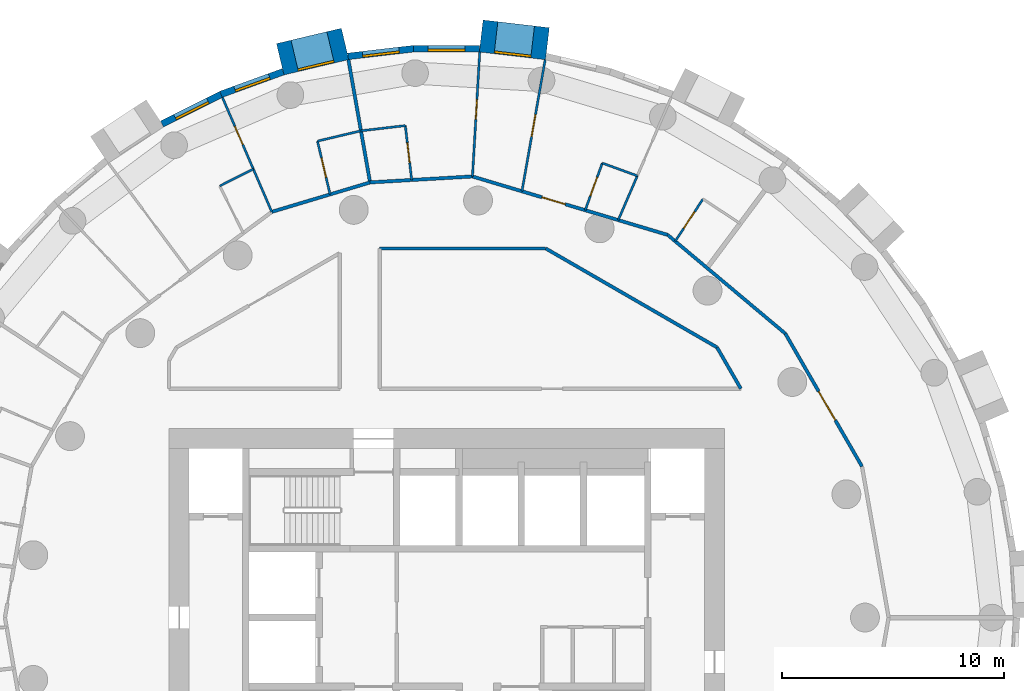
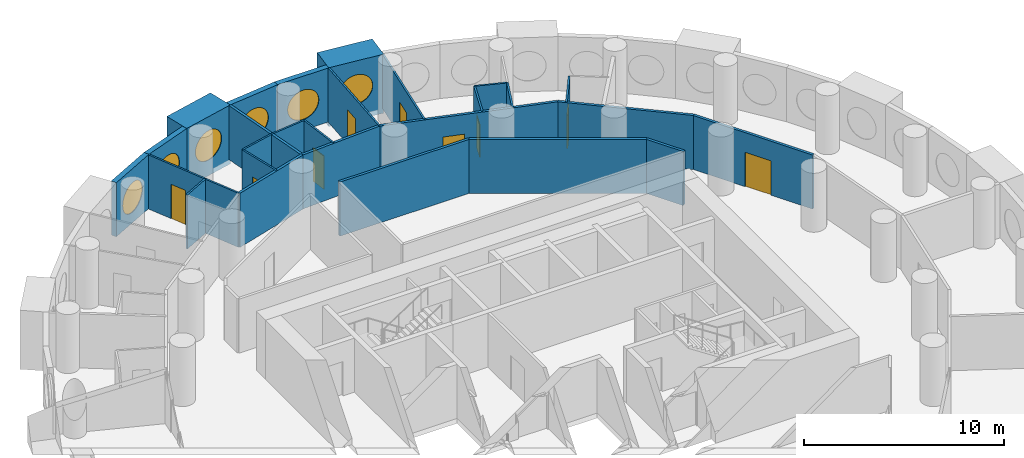
# One storey, part 7 of 10: 28 walls, 9 doors, 6 windows, 15 openings.
"""IFC4 building model written with IfcOpenShell, lengths in metres."""

from ifc_helpers import new_model, si_unit, direction, frame, frame_2d, origin, origin_2d, place, context, subcontext, project, spatial, rectangle, circle, extrude, material, layer, layer_set, type_object, element, fill, save


model = new_model("IFC4")

# Units and contexts
model_context = context("Model", 3, precision=1e-05, world=origin(), true_north=direction((0.0, 1.0)))
body_context = subcontext(model_context, "Body", "Model", "MODEL_VIEW")
ifc_project = project(units=[si_unit("LENGTHUNIT", "METRE"), si_unit("AREAUNIT", "SQUARE_METRE"), si_unit("VOLUMEUNIT", "CUBIC_METRE"), si_unit("PLANEANGLEUNIT", "RADIAN"), si_unit("MASSUNIT", "GRAM", prefix="KILO")], contexts=[model_context])

# Site, building, storey
site_placement = place(None, origin())
site = spatial("IfcSite", under=ifc_project, at=site_placement, CompositionType="ELEMENT")
building_placement = place(site_placement, origin())
building = spatial("IfcBuilding", under=site, at=building_placement, Name="Tracery Tower", CompositionType="ELEMENT")
storey_placement = place(building_placement, frame((0.0, 0.0, 144.0)))
storey = spatial("IfcBuildingStorey", under=building, at=storey_placement, Name="L36", CompositionType="ELEMENT", Elevation=144.0)

# Wall, opening, window
ifc_material_1 = material(Name="Precast concrete C50/60", Category="concrete")
ifc_layer_1 = layer(ifc_material_1, 1.449951171875)
ifc_layer_set_1 = layer_set([ifc_layer_1], Name="Deep-set bay unit 3000 x 3600, slab edge 300")
wall_type_1 = type_object("IfcWallType", Name="Deep-set bay unit 3000 x 3600, slab edge 300", PredefinedType="ELEMENTEDWALL", material=ifc_layer_set_1)
wall_1_placement = place(storey_placement, frame((4.529052734375, 25.827880859375, -0.300048828125), z_axis=(0.0, 0.0, 1.0), x_axis=(-0.9932342274, 0.116128246006, 0.0)))
wall_1 = element("IfcWall", 1, at=wall_1_placement, inside=storey, type_object=wall_type_1, Name="Deep-set bay unit 13 at L36", PredefinedType="ELEMENTEDWALL", context=body_context, shape_type="SweptSolid", body=[
    extrude(rectangle(XDim=3.0, YDim=1.449951171875, at=frame_2d((1.5, 0.0))), origin(), (0.0, 0.0, 1.0), 3.60009765625),
])
opening_1_placement = place(wall_1_placement, frame((1.5, 0.0, 1.85009765625)))
opening_1 = element("IfcOpeningElement", 2, at=opening_1_placement, cuts=wall_1, Name="Opening WN1", PredefinedType="OPENING", context=body_context, shape_type="SweptSolid", body=[
    extrude(circle(Radius=0.9000244140625, at=origin_2d()), frame((0.0, 0.73486328125, 0.0), z_axis=(0.0, -1.0, 0.0), x_axis=(1.0, 0.0, 0.0)), (0.0, 0.0, 1.0), 1.469970703125),
])
ifc_material_2 = material(Name="Aluminium frame with tinted double glazing", Category="aluminium")
window_type = type_object("IfcWindowType", Name="Round window 1800", PartitioningType="SINGLE_PANEL", PredefinedType="WINDOW", material=ifc_material_2)
window_1_placement = place(opening_1_placement, origin())
window_1 = element("IfcWindow", 3, at=window_1_placement, inside=storey, type_object=window_type, Name="Round window 13 at L36", OverallHeight=1.800048828125, OverallWidth=1.800048828125, PartitioningType="SINGLE_PANEL", PredefinedType="WINDOW", context=body_context, shape_type="SweptSolid", body=[
    extrude(circle(Radius=0.9000244140625, at=origin_2d()), frame((0.0, 0.69482421875, 0.0), z_axis=(0.0, -1.0, 0.0), x_axis=(1.0, 0.0, 0.0)), (0.0, 0.0, 1.0), 0.10009765625),
])
fill(opening_1, window_1)

wall_2_placement = place(storey_placement, frame((-4.57763671875, 25.8193359375, -0.300048828125), z_axis=(0.0, 0.0, 1.0), x_axis=(-0.973042333261, -0.23062657627, 0.0)))
wall_2 = element("IfcWall", 4, at=wall_2_placement, inside=storey, type_object=wall_type_1, Name="Deep-set bay unit 16 at L36", PredefinedType="ELEMENTEDWALL", context=body_context, shape_type="SweptSolid", body=[
    extrude(rectangle(XDim=3.0, YDim=1.449951171875, at=frame_2d((1.5, 0.0))), origin(), (0.0, 0.0, 1.0), 3.60009765625),
])
opening_2_placement = place(wall_2_placement, frame((1.5, 0.0, 1.85009765625)))
opening_2 = element("IfcOpeningElement", 5, at=opening_2_placement, cuts=wall_2, Name="Opening WN1", PredefinedType="OPENING", context=body_context, shape_type="SweptSolid", body=[
    extrude(circle(Radius=0.9000244140625, at=origin_2d()), frame((0.0, 0.73486328125, 0.0), z_axis=(0.0, -1.0, 0.0), x_axis=(1.0, 0.0, 0.0)), (0.0, 0.0, 1.0), 1.469970703125),
])
window_2_placement = place(opening_2_placement, origin())
window_2 = element("IfcWindow", 6, at=window_2_placement, inside=storey, type_object=window_type, Name="Round window 16 at L36", OverallHeight=1.800048828125, OverallWidth=1.800048828125, PartitioningType="SINGLE_PANEL", PredefinedType="WINDOW", context=body_context, shape_type="SweptSolid", body=[
    extrude(circle(Radius=0.9000244140625, at=origin_2d()), frame((0.0, 0.69482421875, 0.0), z_axis=(0.0, -1.0, 0.0), x_axis=(1.0, 0.0, 0.0)), (0.0, 0.0, 1.0), 0.10009765625),
])
fill(opening_2, window_2)

ifc_material_3 = material(Name="Precast concrete C50/60", Category="concrete")
ifc_layer_2 = layer(ifc_material_3, 0.300048828125)
ifc_layer_set_2 = layer_set([ifc_layer_2], Name="Facade panel 3000 x 3300")
wall_type_2 = type_object("IfcWallType", Name="Facade panel 3000 x 3300", PredefinedType="SOLIDWALL", material=ifc_layer_set_2)
wall_3_placement = place(storey_placement, frame((1.481689453125, 25.60400390625, 0.0), z_axis=(0.0, 0.0, 1.0), x_axis=(-1.0, 0.0, 0.0)))
wall_3 = element("IfcWall", 7, at=wall_3_placement, inside=storey, type_object=wall_type_2, Name="Facade panel 14 at L36", PredefinedType="SOLIDWALL", context=body_context, shape_type="SweptSolid", body=[
    extrude(rectangle(XDim=2.972900390625, YDim=0.300048828125, at=frame_2d((1.486328125, 0.0))), origin(), (0.0, 0.0, 1.0), 3.300048828125),
])
opening_3_placement = place(wall_3_placement, frame((1.486328125, 0.0, 1.5498046875)))
opening_3 = element("IfcOpeningElement", 8, at=opening_3_placement, cuts=wall_3, Name="Opening WN1", PredefinedType="OPENING", context=body_context, shape_type="SweptSolid", body=[
    extrude(circle(Radius=0.9000244140625, at=origin_2d()), frame((0.0, 0.159912109375, 0.0), z_axis=(0.0, -1.0, 0.0), x_axis=(1.0, 0.0, 0.0)), (0.0, 0.0, 1.0), 0.320068359375),
])
window_3_placement = place(opening_3_placement, origin())
window_3 = element("IfcWindow", 9, at=window_3_placement, inside=storey, type_object=window_type, Name="Round window 14 at L36", OverallHeight=1.800048828125, OverallWidth=1.800048828125, PartitioningType="SINGLE_PANEL", PredefinedType="WINDOW", context=body_context, shape_type="SweptSolid", body=[
    extrude(circle(Radius=0.9000244140625, at=origin_2d()), frame((0.0, 0.1201171875, 0.0), z_axis=(0.0, -1.0, 0.0), x_axis=(1.0, 0.0, 0.0)), (0.0, 0.0, 1.0), 0.10009765625),
])
fill(opening_3, window_3)

wall_4_placement = place(storey_placement, frame((-1.4912109375, 25.60400390625, 0.0), z_axis=(0.0, 0.0, 1.0), x_axis=(-0.993245010522, -0.1160359818, 0.0)))
wall_4 = element("IfcWall", 10, at=wall_4_placement, inside=storey, type_object=wall_type_2, Name="Facade panel 15 at L36", PredefinedType="SOLIDWALL", context=body_context, shape_type="SweptSolid", body=[
    extrude(rectangle(XDim=2.972900390625, YDim=0.300048828125, at=frame_2d((1.486328125, 0.0))), origin(), (0.0, 0.0, 1.0), 3.300048828125),
])
opening_4_placement = place(wall_4_placement, frame((1.486328125, 0.0, 1.5498046875)))
opening_4 = element("IfcOpeningElement", 11, at=opening_4_placement, cuts=wall_4, Name="Opening WN1", PredefinedType="OPENING", context=body_context, shape_type="SweptSolid", body=[
    extrude(circle(Radius=0.9000244140625, at=origin_2d()), frame((0.0, 0.159912109375, 0.0), z_axis=(0.0, -1.0, 0.0), x_axis=(1.0, 0.0, 0.0)), (0.0, 0.0, 1.0), 0.320068359375),
])
window_4_placement = place(opening_4_placement, origin())
window_4 = element("IfcWindow", 12, at=window_4_placement, inside=storey, type_object=window_type, Name="Round window 15 at L36", OverallHeight=1.800048828125, OverallWidth=1.800048828125, PartitioningType="SINGLE_PANEL", PredefinedType="WINDOW", context=body_context, shape_type="SweptSolid", body=[
    extrude(circle(Radius=0.9000244140625, at=origin_2d()), frame((0.0, 0.1201171875, 0.0), z_axis=(0.0, -1.0, 0.0), x_axis=(1.0, 0.0, 0.0)), (0.0, 0.0, 1.0), 0.10009765625),
])
fill(opening_4, window_4)

wall_5_placement = place(storey_placement, frame((-7.36474609375, 24.566650390625, 0.0), z_axis=(0.0, 0.0, 1.0), x_axis=(-0.939690282133, -0.342026568652, 0.0)))
wall_5 = element("IfcWall", 13, at=wall_5_placement, inside=storey, type_object=wall_type_2, Name="Facade panel 17 at L36", PredefinedType="SOLIDWALL", context=body_context, shape_type="SweptSolid", body=[
    extrude(rectangle(XDim=2.972900390625, YDim=0.300048828125, at=frame_2d((1.486328125, 0.0))), origin(), (0.0, 0.0, 1.0), 3.300048828125),
])
opening_5_placement = place(wall_5_placement, frame((1.486328125, 0.0, 1.5498046875)))
opening_5 = element("IfcOpeningElement", 14, at=opening_5_placement, cuts=wall_5, Name="Opening WN1", PredefinedType="OPENING", context=body_context, shape_type="SweptSolid", body=[
    extrude(circle(Radius=0.9000244140625, at=origin_2d()), frame((0.0, 0.159912109375, 0.0), z_axis=(0.0, -1.0, 0.0), x_axis=(1.0, 0.0, 0.0)), (0.0, 0.0, 1.0), 0.320068359375),
])
window_5_placement = place(opening_5_placement, origin())
window_5 = element("IfcWindow", 15, at=window_5_placement, inside=storey, type_object=window_type, Name="Round window 17 at L36", OverallHeight=1.800048828125, OverallWidth=1.800048828125, PartitioningType="SINGLE_PANEL", PredefinedType="WINDOW", context=body_context, shape_type="SweptSolid", body=[
    extrude(circle(Radius=0.9000244140625, at=origin_2d()), frame((0.0, 0.1201171875, 0.0), z_axis=(0.0, -1.0, 0.0), x_axis=(1.0, 0.0, 0.0)), (0.0, 0.0, 1.0), 0.10009765625),
])
fill(opening_5, window_5)

wall_6_placement = place(storey_placement, frame((-10.158447265625, 23.5498046875, 0.0), z_axis=(0.0, 0.0, 1.0), x_axis=(-0.893637442555, -0.448789618045, 0.0)))
wall_6 = element("IfcWall", 16, at=wall_6_placement, inside=storey, type_object=wall_type_2, Name="Facade panel 18 at L36", PredefinedType="SOLIDWALL", context=body_context, shape_type="SweptSolid", body=[
    extrude(rectangle(XDim=2.972900390625, YDim=0.300048828125, at=frame_2d((1.486328125, 0.0))), origin(), (0.0, 0.0, 1.0), 3.300048828125),
])
opening_6_placement = place(wall_6_placement, frame((1.486328125, 0.0, 1.5498046875)))
opening_6 = element("IfcOpeningElement", 17, at=opening_6_placement, cuts=wall_6, Name="Opening WN1", PredefinedType="OPENING", context=body_context, shape_type="SweptSolid", body=[
    extrude(circle(Radius=0.9000244140625, at=origin_2d()), frame((0.0, 0.159912109375, 0.0), z_axis=(0.0, -1.0, 0.0), x_axis=(1.0, 0.0, 0.0)), (0.0, 0.0, 1.0), 0.320068359375),
])
window_6_placement = place(opening_6_placement, origin())
window_6 = element("IfcWindow", 18, at=window_6_placement, inside=storey, type_object=window_type, Name="Round window 18 at L36", OverallHeight=1.800048828125, OverallWidth=1.800048828125, PartitioningType="SINGLE_PANEL", PredefinedType="WINDOW", context=body_context, shape_type="SweptSolid", body=[
    extrude(circle(Radius=0.9000244140625, at=origin_2d()), frame((0.0, 0.1201171875, 0.0), z_axis=(0.0, -1.0, 0.0), x_axis=(1.0, 0.0, 0.0)), (0.0, 0.0, 1.0), 0.10009765625),
])
fill(opening_6, window_6)

# Wall, opening, door
ifc_material_4 = material(Name="Plasterboard on steel studs", Category="steel")
ifc_layer_3 = layer(ifc_material_4, 0.10009765625)
ifc_layer_set_3 = layer_set([ifc_layer_3], Name="Partition 100 stud")
wall_type_3 = type_object("IfcWallType", Name="Partition 100 stud", PredefinedType="PARTITIONING", material=ifc_layer_set_3)
wall_7_placement = place(storey_placement, frame((3.383056640625, 19.18701171875, 0.0), z_axis=(0.0, 0.0, 1.0), x_axis=(0.173732074199, 0.984792956105, 0.0)))
wall_7 = element("IfcWall", 19, at=wall_7_placement, inside=storey, type_object=wall_type_3, Name="Stud partition RB2-042", PredefinedType="PARTITIONING", context=body_context, shape_type="SweptSolid", body=[
    extrude(rectangle(XDim=6.0146484375, YDim=0.10009765625, at=frame_2d((3.00732421875, 0.0))), origin(), (0.0, 0.0, 1.0), 3.300048828125),
])
opening_7_placement = place(wall_7_placement, frame((2.507080078125, 0.0, 0.0)))
opening_7 = element("IfcOpeningElement", 20, at=opening_7_placement, cuts=wall_7, Name="Opening RB2-07", PredefinedType="OPENING", context=body_context, shape_type="SweptSolid", body=[
    extrude(rectangle(XDim=1.0, YDim=2.0400390625, at=frame_2d((0.5, 1.02001953125))), frame((0.0, 0.050048828125, 0.0), z_axis=(0.0, -1.0, 0.0), x_axis=(1.0, 0.0, 0.0)), (0.0, 0.0, 1.0), 0.10009765625),
])
ifc_material_5 = material(Name="Timber door leaf", Category="wood")
door_type_1 = type_object("IfcDoorType", Name="Door communal room 1000", OperationType="NOTDEFINED", PredefinedType="DOOR", material=ifc_material_5)
door_1_placement = place(opening_7_placement, origin())
door_1 = element("IfcDoor", 21, at=door_1_placement, inside=storey, type_object=door_type_1, Name="Communal room door RB2-07", OperationType="SINGLE_SWING_LEFT", OverallHeight=2.0400390625, OverallWidth=1.0, PredefinedType="DOOR", context=body_context, shape_type="SweptSolid", body=[
    extrude(rectangle(XDim=1.0, YDim=2.0400390625, at=frame_2d((0.5, 1.02001953125))), frame((0.0, 0.02490234375, 0.0), z_axis=(0.0, -1.0, 0.0), x_axis=(1.0, 0.0, 0.0)), (0.0, 0.0, 1.0), 0.050048828125),
])
fill(opening_7, door_1)

wall_8_placement = place(storey_placement, frame((1.156005859375, 19.85400390625, 0.0), z_axis=(0.0, 0.0, 1.0), x_axis=(0.058275543564, 0.998300536423, 0.0)))
wall_8 = element("IfcWall", 22, at=wall_8_placement, inside=storey, type_object=wall_type_3, Name="Stud partition RB2-046", PredefinedType="PARTITIONING", context=body_context, shape_type="SweptSolid", body=[
    extrude(rectangle(XDim=5.609619140625, YDim=0.10009765625, at=frame_2d((2.8046875, 0.0))), origin(), (0.0, 0.0, 1.0), 3.300048828125),
])
opening_8_placement = place(wall_8_placement, frame((2.570068359375, 0.0, 0.0)))
opening_8 = element("IfcOpeningElement", 23, at=opening_8_placement, cuts=wall_8, Name="Opening RB2-11", PredefinedType="OPENING", context=body_context, shape_type="SweptSolid", body=[
    extrude(rectangle(XDim=0.89990234375, YDim=2.10009765625, at=frame_2d((0.449951171875, 1.050048828125))), frame((0.0, 0.050048828125, 0.0), z_axis=(0.0, -1.0, 0.0), x_axis=(1.0, 0.0, 0.0)), (0.0, 0.0, 1.0), 0.10009765625),
])
ifc_material_6 = material(Name="Timber door leaf", Category="wood")
door_type_2 = type_object("IfcDoorType", Name="Door bedroom 900", OperationType="NOTDEFINED", PredefinedType="DOOR", material=ifc_material_6)
door_2_placement = place(opening_8_placement, origin())
door_2 = element("IfcDoor", 24, at=door_2_placement, inside=storey, type_object=door_type_2, Name="Bedroom door RB2-11", OperationType="SINGLE_SWING_RIGHT", OverallHeight=2.10009765625, OverallWidth=0.89990234375, PredefinedType="DOOR", context=body_context, shape_type="SweptSolid", body=[
    extrude(rectangle(XDim=0.89990234375, YDim=2.10009765625, at=frame_2d((0.449951171875, 1.050048828125))), frame((0.0, 0.02490234375, 0.0), z_axis=(0.0, -1.0, 0.0), x_axis=(1.0, 0.0, 0.0)), (0.0, 0.0, 1.0), 0.050048828125),
])
fill(opening_8, door_2)

wall_9_placement = place(storey_placement, frame((-10.09912109375, 23.412109375, 0.0), z_axis=(0.0, 0.0, 1.0), x_axis=(0.396231159595, -0.918150787271, 0.0)))
wall_9 = element("IfcWall", 25, at=wall_9_placement, inside=storey, type_object=wall_type_3, Name="Stud partition RB2-056", PredefinedType="PARTITIONING", context=body_context, shape_type="SweptSolid", body=[
    extrude(rectangle(XDim=3.515869140625, YDim=0.10009765625, at=frame_2d((1.7578125, 0.0))), origin(), (0.0, 0.0, 1.0), 3.300048828125),
])
opening_9_placement = place(wall_9_placement, frame((1.4189453125, 0.0, 0.0)))
opening_9 = element("IfcOpeningElement", 26, at=opening_9_placement, cuts=wall_9, Name="Opening RB2-16", PredefinedType="OPENING", context=body_context, shape_type="SweptSolid", body=[
    extrude(rectangle(XDim=0.89990234375, YDim=2.10009765625, at=frame_2d((0.449951171875, 1.050048828125))), frame((0.0, 0.050048828125, 0.0), z_axis=(0.0, -1.0, 0.0), x_axis=(1.0, 0.0, 0.0)), (0.0, 0.0, 1.0), 0.10009765625),
])
door_3_placement = place(opening_9_placement, origin())
door_3 = element("IfcDoor", 27, at=door_3_placement, inside=storey, type_object=door_type_2, Name="Bedroom door RB2-16", OperationType="SINGLE_SWING_RIGHT", OverallHeight=2.10009765625, OverallWidth=0.89990234375, PredefinedType="DOOR", context=body_context, shape_type="SweptSolid", body=[
    extrude(rectangle(XDim=0.89990234375, YDim=2.10009765625, at=frame_2d((0.449951171875, 1.050048828125))), frame((0.0, 0.02490234375, 0.0), z_axis=(0.0, -1.0, 0.0), x_axis=(1.0, 0.0, 0.0)), (0.0, 0.0, 1.0), 0.050048828125),
])
fill(opening_9, door_3)

# Wall
ifc_material_7 = material(Name="Plasterboard on steel studs", Category="steel")
ifc_layer_4 = layer(ifc_material_7, 0.10009765625)
ifc_layer_set_4 = layer_set([ifc_layer_4], Name="Partition 100 wet wall")
wall_type_4 = type_object("IfcWallType", Name="Partition 100 wet wall", PredefinedType="PARTITIONING", material=ifc_layer_set_4)
wall_10_placement = place(storey_placement, frame((7.0009765625, 20.455078125, 0.0), z_axis=(0.0, 0.0, 1.0), x_axis=(0.939550801119, -0.342409538588, 0.0)))
element("IfcWall", 28, at=wall_10_placement, inside=storey, type_object=wall_type_4, Name="Wet wall RB2-043", PredefinedType="PARTITIONING", context=body_context, shape_type="SweptSolid", body=[
    extrude(rectangle(XDim=1.67626953125, YDim=0.10009765625, at=frame_2d((0.838134765625, 0.0))), origin(), (0.0, 0.0, 1.0), 3.300048828125),
])

# Wall, opening, door
wall_11_placement = place(storey_placement, frame((6.22900390625, 18.3349609375, 0.0), z_axis=(0.0, 0.0, 1.0), x_axis=(0.342142678062, 0.939648012741, 0.0)))
wall_11 = element("IfcWall", 29, at=wall_11_placement, inside=storey, type_object=wall_type_4, Name="Wet wall RB2-044", PredefinedType="PARTITIONING", context=body_context, shape_type="SweptSolid", body=[
    extrude(rectangle(XDim=2.25634765625, YDim=0.10009765625, at=frame_2d((1.128173828125, 0.0))), origin(), (0.0, 0.0, 1.0), 3.300048828125),
])
opening_10_placement = place(wall_11_placement, frame((0.67822265625, 0.0, 0.0)))
opening_10 = element("IfcOpeningElement", 30, at=opening_10_placement, cuts=wall_11, Name="Opening RB2-08", PredefinedType="OPENING", context=body_context, shape_type="SweptSolid", body=[
    extrude(rectangle(XDim=0.89990234375, YDim=2.0, at=frame_2d((0.449951171875, 1.0))), frame((0.0, 0.050048828125, 0.0), z_axis=(0.0, -1.0, 0.0), x_axis=(1.0, 0.0, 0.0)), (0.0, 0.0, 1.0), 0.10009765625),
])
ifc_material_8 = material(Name="Timber door leaf", Category="wood")
door_type_3 = type_object("IfcDoorType", Name="Door shower room 900", OperationType="NOTDEFINED", PredefinedType="DOOR", material=ifc_material_8)
door_4_placement = place(opening_10_placement, origin())
door_4 = element("IfcDoor", 31, at=door_4_placement, inside=storey, type_object=door_type_3, Name="Shower room door RB2-08", OperationType="SINGLE_SWING_LEFT", OverallHeight=2.0, OverallWidth=0.89990234375, PredefinedType="DOOR", context=body_context, shape_type="SweptSolid", body=[
    extrude(rectangle(XDim=0.89990234375, YDim=2.0, at=frame_2d((0.449951171875, 1.0))), frame((0.0, 0.02490234375, 0.0), z_axis=(0.0, -1.0, 0.0), x_axis=(1.0, 0.0, 0.0)), (0.0, 0.0, 1.0), 0.050048828125),
])
fill(opening_10, door_4)

# Wall
wall_12_placement = place(storey_placement, frame((7.717041015625, 17.889892578125, 0.0), z_axis=(0.0, 0.0, 1.0), x_axis=(0.396065054916, 0.9182224525, 0.0)))
element("IfcWall", 32, at=wall_12_placement, inside=storey, type_object=wall_type_4, Name="Wet wall RB2-047", PredefinedType="PARTITIONING", context=body_context, shape_type="SweptSolid", body=[
    extrude(rectangle(XDim=2.16845703125, YDim=0.10009765625, at=frame_2d((1.084228515625, 0.0))), origin(), (0.0, 0.0, 1.0), 3.300048828125),
])

# Wall, opening, door
wall_13_placement = place(storey_placement, frame((10.281982421875, 16.93896484375, 0.0), z_axis=(0.0, 0.0, 1.0), x_axis=(0.549730960803, 0.83534176882, 0.0)))
wall_13 = element("IfcWall", 33, at=wall_13_placement, inside=storey, type_object=wall_type_4, Name="Wet wall RB2-049", PredefinedType="PARTITIONING", context=body_context, shape_type="SweptSolid", body=[
    extrude(rectangle(XDim=2.27197265625, YDim=0.10009765625, at=frame_2d((1.135986328125, 0.0))), origin(), (0.0, 0.0, 1.0), 3.300048828125),
])
opening_11_placement = place(wall_13_placement, frame((0.68603515625, 0.0, 0.0)))
opening_11 = element("IfcOpeningElement", 34, at=opening_11_placement, cuts=wall_13, Name="Opening RB2-10", PredefinedType="OPENING", context=body_context, shape_type="SweptSolid", body=[
    extrude(rectangle(XDim=0.89990234375, YDim=2.0400390625, at=frame_2d((0.449951171875, 1.02001953125))), frame((0.0, 0.050048828125, 0.0), z_axis=(0.0, -1.0, 0.0), x_axis=(1.0, 0.0, 0.0)), (0.0, 0.0, 1.0), 0.10009765625),
])
ifc_material_9 = material(Name="Timber door leaf", Category="wood")
door_type_4 = type_object("IfcDoorType", Name="Door en-suite 900", OperationType="NOTDEFINED", PredefinedType="DOOR", material=ifc_material_9)
door_5_placement = place(opening_11_placement, origin())
door_5 = element("IfcDoor", 35, at=door_5_placement, inside=storey, type_object=door_type_4, Name="En-suite door RB2-10", OperationType="SINGLE_SWING_LEFT", OverallHeight=2.0400390625, OverallWidth=0.89990234375, PredefinedType="DOOR", context=body_context, shape_type="SweptSolid", body=[
    extrude(rectangle(XDim=0.89990234375, YDim=2.0400390625, at=frame_2d((0.449951171875, 1.02001953125))), frame((0.0, 0.02490234375, 0.0), z_axis=(0.0, -1.0, 0.0), x_axis=(1.0, 0.0, 0.0)), (0.0, 0.0, 1.0), 0.050048828125),
])
fill(opening_11, door_5)

wall_14_placement = place(storey_placement, frame((-1.865966796875, 22.14208984375, 0.0), z_axis=(0.0, 0.0, 1.0), x_axis=(0.116042011614, -0.99324430607, 0.0)))
wall_14 = element("IfcWall", 36, at=wall_14_placement, inside=storey, type_object=wall_type_4, Name="Wet wall RB2-050", PredefinedType="PARTITIONING", context=body_context, shape_type="SweptSolid", body=[
    extrude(rectangle(XDim=2.463623046875, YDim=0.10009765625, at=frame_2d((1.23193359375, 0.0))), origin(), (0.0, 0.0, 1.0), 3.300048828125),
])
opening_12_placement = place(wall_14_placement, frame((0.78173828125, 0.0, 0.0)))
opening_12 = element("IfcOpeningElement", 37, at=opening_12_placement, cuts=wall_14, Name="Opening RB2-12", PredefinedType="OPENING", context=body_context, shape_type="SweptSolid", body=[
    extrude(rectangle(XDim=0.89990234375, YDim=2.0400390625, at=frame_2d((0.449951171875, 1.02001953125))), frame((0.0, 0.050048828125, 0.0), z_axis=(0.0, -1.0, 0.0), x_axis=(1.0, 0.0, 0.0)), (0.0, 0.0, 1.0), 0.10009765625),
])
door_6_placement = place(opening_12_placement, origin())
door_6 = element("IfcDoor", 38, at=door_6_placement, inside=storey, type_object=door_type_4, Name="En-suite door RB2-12", OperationType="SINGLE_SWING_RIGHT", OverallHeight=2.0400390625, OverallWidth=0.89990234375, PredefinedType="DOOR", context=body_context, shape_type="SweptSolid", body=[
    extrude(rectangle(XDim=0.89990234375, YDim=2.0400390625, at=frame_2d((0.449951171875, 1.02001953125))), frame((0.0, 0.02490234375, 0.0), z_axis=(0.0, -1.0, 0.0), x_axis=(1.0, 0.0, 0.0)), (0.0, 0.0, 1.0), 0.050048828125),
])
fill(opening_12, door_6)

# Walls
wall_15_placement = place(storey_placement, frame((-3.863037109375, 21.908935546875, 0.0), z_axis=(0.0, 0.0, 1.0), x_axis=(0.993253818555, 0.115960561946, 0.0)))
element("IfcWall", 39, at=wall_15_placement, inside=storey, type_object=wall_type_4, Name="Wet wall RB2-051", PredefinedType="PARTITIONING", context=body_context, shape_type="SweptSolid", body=[
    extrude(rectangle(XDim=2.0107421875, YDim=0.10009765625, at=frame_2d((1.00537109375, 0.0))), origin(), (0.0, 0.0, 1.0), 3.300048828125),
])
wall_16_placement = place(storey_placement, frame((-10.221923828125, 19.423095703125, 0.0), z_axis=(0.0, 0.0, 1.0), x_axis=(0.893706346613, 0.448652388854, 0.0)))
element("IfcWall", 40, at=wall_16_placement, inside=storey, type_object=wall_type_4, Name="Wet wall RB2-054", PredefinedType="PARTITIONING", context=body_context, shape_type="SweptSolid", body=[
    extrude(rectangle(XDim=1.696044921875, YDim=0.10009765625, at=frame_2d((0.84814453125, 0.0))), origin(), (0.0, 0.0, 1.0), 3.300048828125),
])
wall_17_placement = place(storey_placement, frame((-8.7060546875, 20.18408203125, 0.0), z_axis=(0.0, 0.0, 1.0), x_axis=(0.395902233763, -0.918292666475, 0.0)))
element("IfcWall", 41, at=wall_17_placement, inside=storey, type_object=wall_type_4, Name="Wet wall RB2-058", PredefinedType="PARTITIONING", context=body_context, shape_type="SweptSolid", body=[
    extrude(rectangle(XDim=2.09423828125, YDim=0.10009765625, at=frame_2d((1.047119140625, 0.0))), origin(), (0.0, 0.0, 1.0), 3.300048828125),
])
wall_18_placement = place(storey_placement, frame((-5.820068359375, 21.445068359375, 0.0), z_axis=(0.0, 0.0, 1.0), x_axis=(0.973040155258, 0.230635765343, 0.0)))
element("IfcWall", 42, at=wall_18_placement, inside=storey, type_object=wall_type_4, Name="Wet wall RB2-059", PredefinedType="PARTITIONING", context=body_context, shape_type="SweptSolid", body=[
    extrude(rectangle(XDim=2.01123046875, YDim=0.10009765625, at=frame_2d((1.005615234375, 0.0))), origin(), (0.0, 0.0, 1.0), 3.300048828125),
])

# Wall, opening, door
wall_19_placement = place(storey_placement, frame((-5.820068359375, 21.445068359375, 0.0), z_axis=(0.0, 0.0, 1.0), x_axis=(0.230535504809, -0.973063914151, 0.0)))
wall_19 = element("IfcWall", 43, at=wall_19_placement, inside=storey, type_object=wall_type_4, Name="Wet wall RB2-060", PredefinedType="PARTITIONING", context=body_context, shape_type="SweptSolid", body=[
    extrude(rectangle(XDim=2.46435546875, YDim=0.10009765625, at=frame_2d((1.232177734375, 0.0))), origin(), (0.0, 0.0, 1.0), 3.300048828125),
])
opening_13_placement = place(wall_19_placement, frame((0.781982421875, 0.0, 0.0)))
opening_13 = element("IfcOpeningElement", 44, at=opening_13_placement, cuts=wall_19, Name="Opening RB2-17", PredefinedType="OPENING", context=body_context, shape_type="SweptSolid", body=[
    extrude(rectangle(XDim=0.89990234375, YDim=2.0400390625, at=frame_2d((0.449951171875, 1.02001953125))), frame((0.0, 0.050048828125, 0.0), z_axis=(0.0, -1.0, 0.0), x_axis=(1.0, 0.0, 0.0)), (0.0, 0.0, 1.0), 0.10009765625),
])
door_7_placement = place(opening_13_placement, origin())
door_7 = element("IfcDoor", 45, at=door_7_placement, inside=storey, type_object=door_type_4, Name="En-suite door RB2-17", OperationType="SINGLE_SWING_LEFT", OverallHeight=2.0400390625, OverallWidth=0.89990234375, PredefinedType="DOOR", context=body_context, shape_type="SweptSolid", body=[
    extrude(rectangle(XDim=0.89990234375, YDim=2.0400390625, at=frame_2d((0.449951171875, 1.02001953125))), frame((0.0, 0.02490234375, 0.0), z_axis=(0.0, -1.0, 0.0), x_axis=(1.0, 0.0, 0.0)), (0.0, 0.0, 1.0), 0.050048828125),
])
fill(opening_13, door_7)

# Walls
ifc_material_10 = material(Name="Plasterboard on steel studs", Category="steel")
ifc_layer_5 = layer(ifc_material_10, 0.14990234375)
ifc_layer_set_5 = layer_set([ifc_layer_5], Name="Partition 150 acoustic unit wall")
wall_type_5 = type_object("IfcWallType", Name="Partition 150 acoustic unit wall", PredefinedType="PARTITIONING", material=ifc_layer_set_5)
wall_20_placement = place(storey_placement, frame((-4.427978515625, 25.110107421875, 0.0), z_axis=(0.0, 0.0, 1.0), x_axis=(0.17382754149, -0.984776109489, 0.0)))
element("IfcWall", 46, at=wall_20_placement, inside=storey, type_object=wall_type_5, Name="Unit wall RB2-052", PredefinedType="PARTITIONING", context=body_context, shape_type="SweptSolid", body=[
    extrude(rectangle(XDim=5.609619140625, YDim=0.14990234375, at=frame_2d((2.8046875, 0.0))), origin(), (0.0, 0.0, 1.0), 3.300048828125),
])
ifc_material_11 = material(Name="Plasterboard on steel studs", Category="steel")
ifc_layer_6 = layer(ifc_material_11, 0.14990234375)
ifc_layer_set_6 = layer_set([ifc_layer_6], Name="Partition 150 corridor wall")
wall_type_6 = type_object("IfcWallType", Name="Partition 150 corridor wall", PredefinedType="PARTITIONING", material=ifc_layer_set_6)
wall_21_placement = place(storey_placement, frame((12.162109375, 12.162109375, 0.0), z_axis=(0.0, 0.0, 1.0), x_axis=(0.499961633463, -0.866047553582, 0.0)))
element("IfcWall", 47, at=wall_21_placement, inside=storey, type_object=wall_type_6, Name="Corridor wall RB2-005", PredefinedType="PARTITIONING", context=body_context, shape_type="SweptSolid", body=[
    extrude(rectangle(XDim=2.150146484375, YDim=0.14990234375, at=frame_2d((1.0751953125, 0.0))), origin(), (0.0, 0.0, 1.0), 3.300048828125),
])
wall_22_placement = place(storey_placement, frame((9.943359375, 17.22216796875, 0.0), z_axis=(0.0, 0.0, 1.0), x_axis=(0.766192104565, -0.642611592567, 0.0)))
element("IfcWall", 48, at=wall_22_placement, inside=storey, type_object=wall_type_6, Name="Corridor wall RB2-007", PredefinedType="PARTITIONING", context=body_context, shape_type="SweptSolid", body=[
    extrude(rectangle(XDim=6.906494140625, YDim=0.14990234375, at=frame_2d((3.453125, 0.0))), origin(), (0.0, 0.0, 1.0), 3.300048828125),
])

# Wall, opening, door
wall_23_placement = place(storey_placement, frame((15.235107421875, 12.783935546875, 0.0), z_axis=(0.0, 0.0, 1.0), x_axis=(0.499914202267, -0.866074933462, 0.0)))
wall_23 = element("IfcWall", 49, at=wall_23_placement, inside=storey, type_object=wall_type_6, Name="Corridor wall RB2-008", PredefinedType="PARTITIONING", context=body_context, shape_type="SweptSolid", body=[
    extrude(rectangle(XDim=6.906982421875, YDim=0.14990234375, at=frame_2d((3.45361328125, 0.0))), origin(), (0.0, 0.0, 1.0), 3.300048828125),
])
opening_14_placement = place(wall_23_placement, frame((3.00390625, 0.0, 0.0)))
opening_14 = element("IfcOpeningElement", 50, at=opening_14_placement, cuts=wall_23, Name="Opening RB2-05", PredefinedType="OPENING", context=body_context, shape_type="SweptSolid", body=[
    extrude(rectangle(XDim=1.5, YDim=2.10009765625, at=frame_2d((0.75, 1.050048828125))), frame((0.0, 0.074951171875, 0.0), z_axis=(0.0, -1.0, 0.0), x_axis=(1.0, 0.0, 0.0)), (0.0, 0.0, 1.0), 0.14990234375),
])
ifc_material_12 = material(Name="Timber door leaf", Category="wood")
door_type_5 = type_object("IfcDoorType", Name="Door double kitchen 1500", OperationType="NOTDEFINED", PredefinedType="DOOR", material=ifc_material_12)
door_8_placement = place(opening_14_placement, origin())
door_8 = element("IfcDoor", 51, at=door_8_placement, inside=storey, type_object=door_type_5, Name="Double kitchen door RB2-05", OperationType="DOUBLE_DOOR_SINGLE_SWING", OverallHeight=2.10009765625, OverallWidth=1.5, PredefinedType="DOOR", context=body_context, shape_type="SweptSolid", body=[
    extrude(rectangle(XDim=1.5, YDim=2.10009765625, at=frame_2d((0.75, 1.050048828125))), frame((0.0, 0.02490234375, 0.0), z_axis=(0.0, -1.0, 0.0), x_axis=(1.0, 0.0, 0.0)), (0.0, 0.0, 1.0), 0.050048828125),
])
fill(opening_14, door_8)

# Walls
wall_24_placement = place(storey_placement, frame((4.451904296875, 16.614013671875, 0.0), z_axis=(0.0, 0.0, 1.0), x_axis=(0.866005203721, -0.500034985904, 0.0)))
element("IfcWall", 52, at=wall_24_placement, inside=storey, type_object=wall_type_6, Name="Corridor wall RB2-015", PredefinedType="PARTITIONING", context=body_context, shape_type="SweptSolid", body=[
    extrude(rectangle(XDim=8.903076171875, YDim=0.14990234375, at=frame_2d((4.45166015625, 0.0))), origin(), (0.0, 0.0, 1.0), 3.300048828125),
])
wall_25_placement = place(storey_placement, frame((-3.02099609375, 16.614013671875, 0.0), z_axis=(0.0, 0.0, 1.0), x_axis=(1.0, 0.0, 0.0)))
element("IfcWall", 53, at=wall_25_placement, inside=storey, type_object=wall_type_6, Name="Corridor wall RB2-016", PredefinedType="PARTITIONING", context=body_context, shape_type="SweptSolid", body=[
    extrude(rectangle(XDim=7.472900390625, YDim=0.14990234375, at=frame_2d((3.736328125, 0.0))), origin(), (0.0, 0.0, 1.0), 3.300048828125),
])

# Wall, opening, door
wall_26_placement = place(storey_placement, frame((1.15576171875, 19.853271484375, 0.0), z_axis=(0.0, 0.0, 1.0), x_axis=(0.958024563008, -0.286686129197, 0.0)))
wall_26 = element("IfcWall", 54, at=wall_26_placement, inside=storey, type_object=wall_type_6, Name="Corridor wall RB2-018", PredefinedType="PARTITIONING", context=body_context, shape_type="SweptSolid", body=[
    extrude(rectangle(XDim=9.17333984375, YDim=0.14990234375, at=frame_2d((4.586669921875, 0.0))), origin(), (0.0, 0.0, 1.0), 3.300048828125),
])
opening_15_placement = place(wall_26_placement, frame((3.260498046875, 0.0, 0.0)))
opening_15 = element("IfcOpeningElement", 55, at=opening_15_placement, cuts=wall_26, Name="Opening RB2-06", PredefinedType="OPENING", context=body_context, shape_type="SweptSolid", body=[
    extrude(rectangle(XDim=1.10009765625, YDim=2.10009765625, at=frame_2d((0.550048828125, 1.050048828125))), frame((0.0, 0.074951171875, 0.0), z_axis=(0.0, -1.0, 0.0), x_axis=(1.0, 0.0, 0.0)), (0.0, 0.0, 1.0), 0.14990234375),
])
ifc_material_13 = material(Name="Timber door leaf", Category="wood")
door_type_6 = type_object("IfcDoorType", Name="Door cluster entrance 1100", OperationType="NOTDEFINED", PredefinedType="DOOR", material=ifc_material_13)
door_9_placement = place(opening_15_placement, origin())
door_9 = element("IfcDoor", 56, at=door_9_placement, inside=storey, type_object=door_type_6, Name="Cluster entrance door RB2-06", OperationType="SINGLE_SWING_RIGHT", OverallHeight=2.10009765625, OverallWidth=1.10009765625, PredefinedType="DOOR", context=body_context, shape_type="SweptSolid", body=[
    extrude(rectangle(XDim=1.10009765625, YDim=2.10009765625, at=frame_2d((0.550048828125, 1.050048828125))), frame((0.0, 0.02490234375, 0.0), z_axis=(0.0, -1.0, 0.0), x_axis=(1.0, 0.0, 0.0)), (0.0, 0.0, 1.0), 0.050048828125),
])
fill(opening_15, door_9)

# Walls
wall_27_placement = place(storey_placement, frame((-3.452880859375, 19.58642578125, 0.0), z_axis=(0.0, 0.0, 1.0), x_axis=(0.998318940977, 0.057959400324, 0.0)))
element("IfcWall", 57, at=wall_27_placement, inside=storey, type_object=wall_type_6, Name="Corridor wall RB2-019", PredefinedType="PARTITIONING", context=body_context, shape_type="SweptSolid", body=[
    extrude(rectangle(XDim=4.61669921875, YDim=0.14990234375, at=frame_2d((2.308349609375, 0.0))), origin(), (0.0, 0.0, 1.0), 3.300048828125),
])
wall_28_placement = place(storey_placement, frame((-7.876953125, 18.260986328125, 0.0), z_axis=(0.0, 0.0, 1.0), x_axis=(0.95799054752, 0.286799774863, 0.0)))
element("IfcWall", 58, at=wall_28_placement, inside=storey, type_object=wall_type_6, Name="Corridor wall RB2-021", PredefinedType="PARTITIONING", context=body_context, shape_type="SweptSolid", body=[
    extrude(rectangle(XDim=4.6181640625, YDim=0.14990234375, at=frame_2d((2.30908203125, 0.0))), origin(), (0.0, 0.0, 1.0), 3.300048828125),
])

save(model, "model.ifc")
